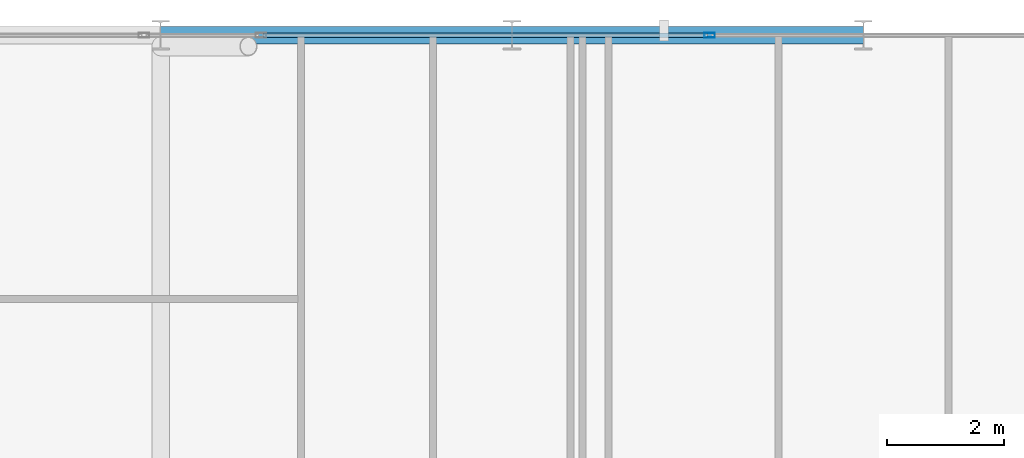
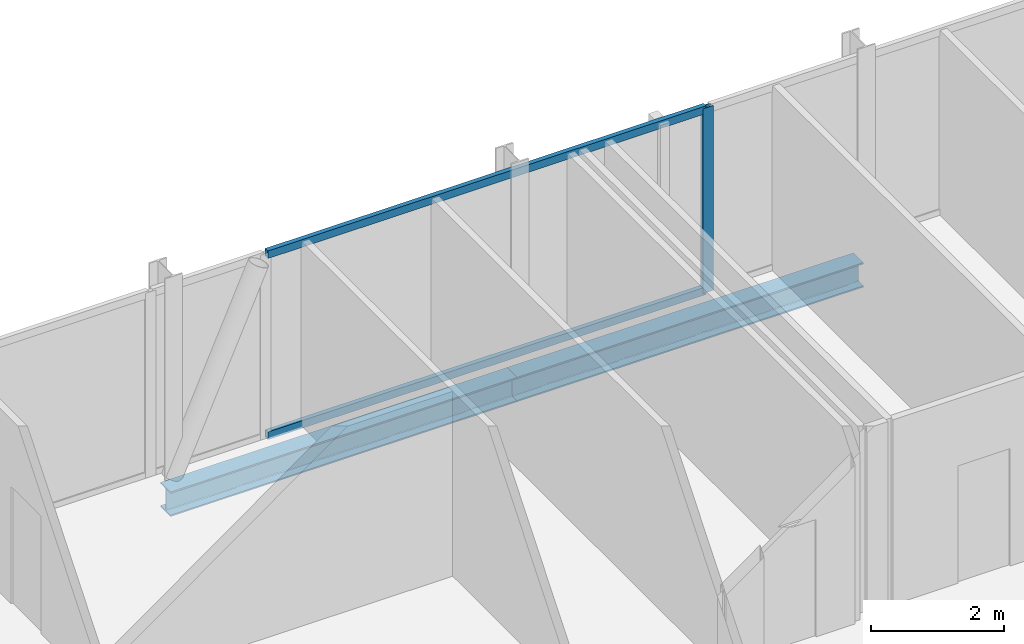
# One storey, part 20 of 31: 3 members, 2 beams, 1 element without a shape of its own.
"""IFC4 building model written with IfcOpenShell, lengths in metres."""

import ifcopenshell
import ifcopenshell.guid

model = None  # the IFC model being written
_history = None  # IfcOwnerHistory: only IFC2X3 demands one
_inside = {}  # id of a spatial element -> (the spatial element, [elements in it])
_under = {}  # id of a project, library or spatial element -> (it, [spatial elements below it])
_declared = {}  # id of a project -> (the project, [libraries it declares])
_typed = {}  # id of a type object -> (the type object, [elements of that type])
_made_of = {}  # id of a material, layer set ... -> (it, [elements and type objects made of it])


def new_model(schema):
    """Start an empty IFC model of exactly this schema.

    Asked for "IFC4X3", IfcOpenShell would pick the latest addendum, in which some entities
    have other attributes; the version numbers below select the first issue.
    IFC2X3 requires an IfcOwnerHistory on every rooted entity: one is made here for all.
    """
    global model, _history
    if schema == "IFC4X3":
        model = ifcopenshell.file(schema_version=(4, 3, 0, 0))
    else:
        model = ifcopenshell.file(schema=schema)
    _inside.clear()
    _under.clear()
    _declared.clear()
    _typed.clear()
    _made_of.clear()
    _history = None
    if model.schema == "IFC2X3":
        org = make("IfcOrganization", Name="unknown")
        user = make(
            "IfcPersonAndOrganization",
            ThePerson=make("IfcPerson", FamilyName="unknown"),
            TheOrganization=org,
        )
        app = make(
            "IfcApplication",
            ApplicationDeveloper=org,
            Version="unknown",
            ApplicationFullName="unknown",
            ApplicationIdentifier="unknown",
        )
        _history = make(
            "IfcOwnerHistory",
            OwningUser=user,
            OwningApplication=app,
            ChangeAction="ADDED",
            CreationDate=0,
        )
    return model


def make(cls, **values):
    """One entity of the class cls with the attributes given. An attribute that is None is left unset."""
    return model.create_entity(
        cls, **{name: value for name, value in values.items() if value is not None}
    )


def rooted(cls, **values):
    """An entity with a GlobalId (a new one), such as an element, a storey or a relation."""
    return make(cls, GlobalId=ifcopenshell.guid.new(), OwnerHistory=_history, **values)


def si_unit(unit_type, name, prefix=None):
    """IfcSIUnit, for example si_unit("LENGTHUNIT", "METRE", prefix="MILLI")."""
    return make("IfcSIUnit", UnitType=unit_type, Prefix=prefix, Name=name)


def assignment(units):
    """IfcUnitAssignment: the units of a project."""
    return None if units is None else make("IfcUnitAssignment", Units=units)


def point(xyz):
    """IfcCartesianPoint."""
    return None if xyz is None else make("IfcCartesianPoint", Coordinates=xyz)


def direction(xyz):
    """IfcDirection."""
    return None if xyz is None else make("IfcDirection", DirectionRatios=xyz)


def frame(location, z_axis=None, x_axis=None):
    """IfcAxis2Placement3D, a coordinate frame: its origin and axes. An axis left out is left unset."""
    return make(
        "IfcAxis2Placement3D",
        Location=point(location),
        Axis=direction(z_axis),
        RefDirection=direction(x_axis),
    )


def frame_2d(location, x_axis=None):
    """IfcAxis2Placement2D, a coordinate frame in the plane: its origin and x axis."""
    return make(
        "IfcAxis2Placement2D", Location=point(location), RefDirection=direction(x_axis)
    )


def origin():
    """The frame at (0, 0, 0) with its axes left unset."""
    return frame((0.0, 0.0, 0.0))


def origin_2d():
    """The frame at (0, 0) in the plane with its x axis left unset."""
    return frame_2d((0.0, 0.0))


def place(relative_to, where):
    """IfcLocalPlacement: puts the frame where relative to a parent placement (None: the world)."""
    return make(
        "IfcLocalPlacement", PlacementRelTo=relative_to, RelativePlacement=where
    )


def context(
    kind, dimensions, precision=None, world=None, true_north=None, identifier=None
):
    """IfcGeometricRepresentationContext, for example the 3D "Model" context."""
    return make(
        "IfcGeometricRepresentationContext",
        ContextIdentifier=identifier,
        ContextType=kind,
        CoordinateSpaceDimension=dimensions,
        Precision=precision,
        WorldCoordinateSystem=world,
        TrueNorth=true_north,
    )


def subcontext(parent, identifier, kind, view, scale=None):
    """IfcGeometricRepresentationSubContext, for example "Body" below "Model"."""
    return make(
        "IfcGeometricRepresentationSubContext",
        ContextIdentifier=identifier,
        ContextType=kind,
        ParentContext=parent,
        TargetScale=scale,
        TargetView=view,
    )


def project(units=None, contexts=None):
    """IfcProject with its units and contexts."""
    return rooted(
        "IfcProject",
        Name="project",
        RepresentationContexts=contexts,
        UnitsInContext=assignment(units),
    )


def spatial(cls, under=None, at=None, **own):
    """A site, building, storey or space (cls), placed at a placement, below another one or the project."""
    s = rooted(cls, ObjectPlacement=at, **own)
    if under is not None:
        _under.setdefault(under.id(), (under, []))[1].append(s)
    return s


def profile(cls, at=None, kind="AREA", **sizes):
    """A parametric profile (cls). Its sizes go by their IFC names, for example OverallWidth=200.0."""
    return make(cls, ProfileType=kind, Position=at, **sizes)


def hollow_rectangle(**sizes):
    """IfcRectangleHollowProfileDef."""
    return profile("IfcRectangleHollowProfileDef", **sizes)


def i_section(**sizes):
    """IfcIShapeProfileDef."""
    return profile("IfcIShapeProfileDef", **sizes)


def extrude(swept, where, along, depth):
    """IfcExtrudedAreaSolid: the profile swept, set in the frame where, extruded along a direction by depth."""
    return make(
        "IfcExtrudedAreaSolid",
        SweptArea=swept,
        Position=where,
        ExtrudedDirection=direction(along),
        Depth=depth,
    )


def shape(context_of_items, identifier, shape_type, items):
    """IfcShapeRepresentation: the items that make up one representation, for example the "Body"."""
    return make(
        "IfcShapeRepresentation",
        ContextOfItems=context_of_items,
        RepresentationIdentifier=identifier,
        RepresentationType=shape_type,
        Items=items,
    )


def material(Name=None, Category=None):
    """IfcMaterial."""
    return make("IfcMaterial", Name=Name, Category=Category)


def layer(
    of_material, thickness, ventilated=None, Name=None, Category=None, Priority=None
):
    """IfcMaterialLayer: one layer of a wall or slab, of a material (None: an air gap)."""
    return make(
        "IfcMaterialLayer",
        Material=of_material,
        LayerThickness=thickness,
        IsVentilated=ventilated,
        Name=Name,
        Category=Category,
        Priority=Priority,
    )


def layer_set(layers, Name=None):
    """IfcMaterialLayerSet."""
    return make("IfcMaterialLayerSet", MaterialLayers=layers, LayerSetName=Name)


def material_profile(
    of_material, cross_section, Name=None, Category=None, Priority=None
):
    """IfcMaterialProfile: a cross section and its material."""
    return make(
        "IfcMaterialProfile",
        Name=Name,
        Material=of_material,
        Profile=cross_section,
        Priority=Priority,
        Category=Category,
    )


def profile_set(profiles, Name=None, composite=None):
    """IfcMaterialProfileSet."""
    return make(
        "IfcMaterialProfileSet",
        Name=Name,
        MaterialProfiles=profiles,
        CompositeProfile=composite,
    )


def made_of(thing, what):
    """Note that an element or type object is made of a material, layer set ...; save() writes the relation."""
    if what is not None:
        _made_of.setdefault(what.id(), (what, []))[1].append(thing)
    return thing


def type_object(cls, material=None, **own):
    """A type object (cls), such as IfcWallType, which elements share."""
    return made_of(rooted(cls, **own), material)


def element(
    cls,
    number,
    at=None,
    inside=None,
    cuts=None,
    type_object=None,
    material=None,
    context=None,
    identifier="Body",
    shape_type=None,
    held_by="IfcProductDefinitionShape",
    body=None,
    shapes=None,
    **own,
):
    """One element of the class cls, such as IfcWall. Its Tag is "e" and its number.

    at: its placement. inside: the storey or other place that contains it. cuts: it is an
    opening in that element (IfcRelVoidsElement). A single representation is given by context,
    identifier, shape_type and body (its items); several are given by shapes. held_by: the class
    of the entity that holds the representations. save() writes the other relations.
    """
    e = rooted(cls, Tag="e%d" % number, ObjectPlacement=at, **own)
    if body is not None:
        shapes = [shape(context, identifier, shape_type, body)]
    if shapes is not None:
        e.Representation = make(held_by, Representations=shapes)
    if inside is not None:
        _inside.setdefault(inside.id(), (inside, []))[1].append(e)
    if cuts is not None:
        rooted(
            "IfcRelVoidsElement", RelatingBuildingElement=cuts, RelatedOpeningElement=e
        )
    if type_object is not None:
        _typed.setdefault(type_object.id(), (type_object, []))[1].append(e)
    return made_of(e, material)


def aggregate(whole, parts):
    """IfcRelAggregates: a whole, such as a stair, and the parts it consists of."""
    return rooted("IfcRelAggregates", RelatingObject=whole, RelatedObjects=parts)


def save(model, path):
    """Write the relations noted so far, then the file.

    IfcRelAggregates (storeys below a building ...), IfcRelContainedInSpatialStructure (elements
    in a storey), IfcRelDefinesByType, IfcRelAssociatesMaterial and IfcRelDeclares: one each for
    every whole, place, type object, material and project.
    """
    for whole, parts in _under.values():
        aggregate(whole, parts)
    for where, things in _inside.values():
        rooted(
            "IfcRelContainedInSpatialStructure",
            RelatedElements=things,
            RelatingStructure=where,
        )
    for kind, things in _typed.values():
        rooted("IfcRelDefinesByType", RelatedObjects=things, RelatingType=kind)
    for what, things in _made_of.values():
        rooted("IfcRelAssociatesMaterial", RelatedObjects=things, RelatingMaterial=what)
    for by, libraries in _declared.values():
        rooted("IfcRelDeclares", RelatingContext=by, RelatedDefinitions=libraries)
    model.write(path)


model = new_model("IFC4")

# Units and contexts
model_context = context("Model", 3, precision=1e-05, world=origin(), true_north=direction((0.0, 1.0)))
body_context = subcontext(model_context, "Body", "Model", "MODEL_VIEW")
ifc_project = project(units=[si_unit("LENGTHUNIT", "METRE"), si_unit("AREAUNIT", "SQUARE_METRE"), si_unit("VOLUMEUNIT", "CUBIC_METRE"), si_unit("PLANEANGLEUNIT", "RADIAN"), si_unit("MASSUNIT", "GRAM", prefix="KILO")], contexts=[model_context])

# Site, building, storey
site_placement = place(None, origin())
site = spatial("IfcSite", under=ifc_project, at=site_placement, CompositionType="ELEMENT")
building_placement = place(site_placement, origin())
building = spatial("IfcBuilding", under=site, at=building_placement, Name="Keshet Zoharim Tower", CompositionType="ELEMENT")
storey_placement = place(building_placement, frame((0.0, 0.0, 133.5)))
storey = spatial("IfcBuildingStorey", under=building, at=storey_placement, Name="L32", CompositionType="ELEMENT", Elevation=133.5)

# Beams
ifc_material_1 = material(Name="Steel S355", Category="steel")
ifc_material_profile_1 = material_profile(ifc_material_1, i_section(OverallWidth=0.300048828125, OverallDepth=0.449951171875, WebThickness=0.013916015625, FlangeThickness=0.02587890625, FilletRadius=0.027099609375, at=origin_2d()), Name="HEB450")
ifc_profile_set_1 = profile_set([ifc_material_profile_1], Name="Steel S355")
beam_type = type_object("IfcBeamType", Name="BM-WEB-HB450", PredefinedType="BEAM", material=ifc_profile_set_1)
for number, where, z_axis, x_axis, name in (
    (1, (33.0, 53.89990234375, -0.5400390625), (1.0, 0.0, 0.0), (0.0, 1.0, 0.0), "L32 Primary Girder X-022"),
    (2, (39.0, 53.89990234375, -0.5400390625), (1.0, 0.0, 0.0), (0.0, 1.0, 0.0), "L32 Primary Girder X-023"),
):
    element("IfcBeam", number, at=place(storey_placement, frame(where, z_axis=z_axis, x_axis=x_axis)), inside=storey, type_object=beam_type, Name=name, PredefinedType="BEAM", context=body_context, shape_type="SweptSolid", body=[
        extrude(i_section(OverallWidth=0.300048828125, OverallDepth=0.449951171875, WebThickness=0.013916015625, FlangeThickness=0.02587890625, FilletRadius=0.027099609375, at=origin_2d()), origin(), (0.0, 0.0, 1.0), 6.0),
    ])

# Curtain wall, members
ifc_material_2 = material(Name="Aluminium 6063-T6", Category="aluminium")
ifc_layer = layer(ifc_material_2, 0.159912109375)
ifc_layer_set = layer_set([ifc_layer], Name="Aluminium 6063-T6")
curtain_wall_type = type_object("IfcCurtainWallType", Name="CW-SYS-03", PredefinedType="NOTDEFINED", material=ifc_layer_set)
curtain_wall_placement = place(storey_placement, origin())
curtain_wall = element("IfcCurtainWall", 3, at=curtain_wall_placement, inside=storey, type_object=curtain_wall_type, Name="L32 Unitised Curtain Wall 13 Part 5", PredefinedType="NOTDEFINED")
ifc_material_profile_2 = material_profile(ifc_material_2, hollow_rectangle(XDim=0.080078125, YDim=0.179931640625, WallThickness=0.00439453125, at=origin_2d()), Name="MUL-80x180")
ifc_profile_set_2 = profile_set([ifc_material_profile_2], Name="Aluminium 6063-T6")
member_type_1 = type_object("IfcMemberType", Name="CWM-M18", PredefinedType="MULLION", material=ifc_profile_set_2)
member_1_placement = place(storey_placement, frame((42.3740234375, 53.89990234375, 0.0), z_axis=(0.0, 0.0, 1.0), x_axis=(0.0, 1.0, 0.0)))
member_1 = element("IfcMember", 4, at=member_1_placement, type_object=member_type_1, Name="CW-03 mullion 2", PredefinedType="MULLION", context=body_context, shape_type="SweptSolid", body=[
    extrude(hollow_rectangle(XDim=0.080078125, YDim=0.179931640625, WallThickness=0.00439453125, at=origin_2d()), origin(), (0.0, 0.0, 1.0), 3.385009765625),
])
ifc_material_profile_3 = material_profile(ifc_material_2, hollow_rectangle(XDim=0.080078125, YDim=0.139892578125, WallThickness=0.00390625, at=origin_2d()), Name="TRN-80x140")
ifc_profile_set_3 = profile_set([ifc_material_profile_3], Name="Aluminium 6063-T6")
member_type_2 = type_object("IfcMemberType", Name="CWT-T14", PredefinedType="USERDEFINED", material=ifc_profile_set_3)
member_2_placement = place(storey_placement, frame((34.748046875, 53.89990234375, 0.034912109375), z_axis=(1.0, 0.0, 0.0), x_axis=(0.0, 1.0, 0.0)))
member_2 = element("IfcMember", 5, at=member_2_placement, type_object=member_type_2, Name="CW-03 transom 1.1", ObjectType="TRANSOM", PredefinedType="USERDEFINED", context=body_context, shape_type="SweptSolid", body=[
    extrude(hollow_rectangle(XDim=0.080078125, YDim=0.139892578125, WallThickness=0.00390625, at=origin_2d()), origin(), (0.0, 0.0, 1.0), 7.591064453125),
])
member_3_placement = place(storey_placement, frame((34.748046875, 53.89990234375, 3.35009765625), z_axis=(1.0, 0.0, 0.0), x_axis=(0.0, 1.0, 0.0)))
member_3 = element("IfcMember", 6, at=member_3_placement, type_object=member_type_2, Name="CW-03 transom 1.2", ObjectType="TRANSOM", PredefinedType="USERDEFINED", context=body_context, shape_type="SweptSolid", body=[
    extrude(hollow_rectangle(XDim=0.080078125, YDim=0.139892578125, WallThickness=0.00390625, at=origin_2d()), origin(), (0.0, 0.0, 1.0), 7.591064453125),
])
aggregate(curtain_wall, [member_1, member_2, member_3])

save(model, "model.ifc")
